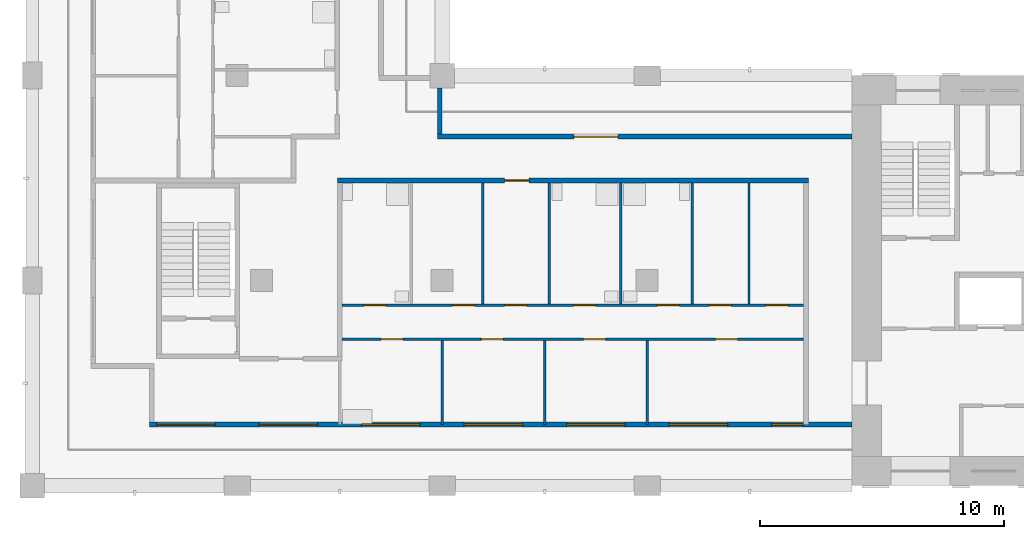
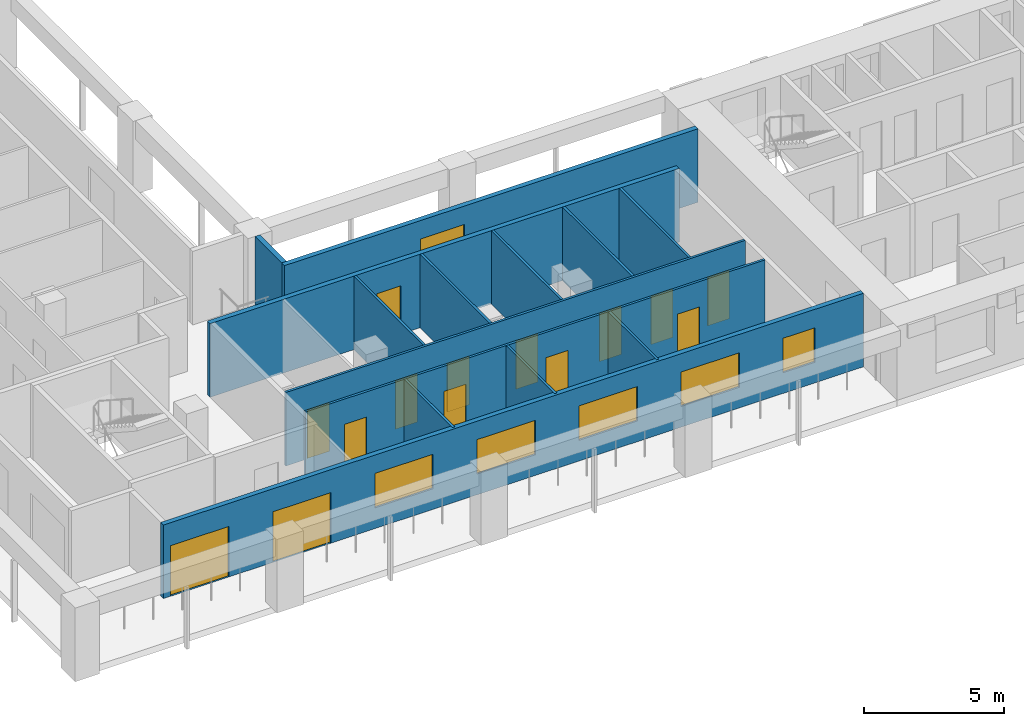
# One storey, part 2 of 10: 15 doors, 14 walls, 5 windows, 20 openings.
"""IFC4 building model written with IfcOpenShell, lengths in metres."""

from ifc_helpers import new_model, si_unit, direction, frame, frame_2d, origin, place, context, subcontext, project, spatial, rectangle, extrude, material, layer, layer_set, type_object, element, fill, save


model = new_model("IFC4")

# Units and contexts
model_context = context("Model", 3, precision=1e-05, world=origin(), true_north=direction((0.0, 1.0)))
body_context = subcontext(model_context, "Body", "Model", "MODEL_VIEW")
ifc_project = project(units=[si_unit("LENGTHUNIT", "METRE"), si_unit("AREAUNIT", "SQUARE_METRE"), si_unit("VOLUMEUNIT", "CUBIC_METRE"), si_unit("PLANEANGLEUNIT", "RADIAN"), si_unit("MASSUNIT", "GRAM", prefix="KILO")], contexts=[model_context])

# Site, building, storey
site_placement = place(None, origin())
site = spatial("IfcSite", under=ifc_project, at=site_placement, CompositionType="ELEMENT")
building_placement = place(site_placement, origin())
building = spatial("IfcBuilding", under=site, at=building_placement, Name="Vermilion Gate Residences", CompositionType="ELEMENT")
storey_placement = place(building_placement, frame((0.0, 0.0, 273.699951171875)))
storey = spatial("IfcBuildingStorey", under=building, at=storey_placement, Name="L72", CompositionType="ELEMENT", Elevation=273.699951171875)

# Wall, openings, doors, windows
ifc_material_1 = material(Name="Insulated steel stud wall with terracotta rainscreen", Category="masonry")
ifc_layer_1 = layer(ifc_material_1, 0.199951171875)
ifc_layer_set_1 = layer_set([ifc_layer_1], Name="EXTERNAL WALL 200 TERRACOTTA RAINSCREEN")
wall_type_1 = type_object("IfcWallType", Name="EXTERNAL WALL 200 TERRACOTTA RAINSCREEN", PredefinedType="SOLIDWALL", material=ifc_layer_set_1)
wall_1_placement = place(storey_placement, frame((13.199951171875, 10.89990234375, 0.0), z_axis=(0.0, 0.0, 1.0), x_axis=(1.0, 0.0, 0.0)))
wall_1 = element("IfcWall", 1, at=wall_1_placement, inside=storey, type_object=wall_type_1, Name="External wall", PredefinedType="SOLIDWALL", context=body_context, shape_type="SweptSolid", body=[
    extrude(rectangle(XDim=28.800048828125, YDim=0.199951171875, at=frame_2d((14.39990234375, 0.0))), origin(), (0.0, 0.0, 1.0), 3.199951171875),
])
opening_1_placement = place(wall_1_placement, frame((0.300048828125, 0.0, 0.0)))
opening_1 = element("IfcOpeningElement", 2, at=opening_1_placement, cuts=wall_1, Name="Opening DE72008", PredefinedType="OPENING", context=body_context, shape_type="SweptSolid", body=[
    extrude(rectangle(XDim=2.39990234375, YDim=2.199951171875, at=frame_2d((1.199951171875, 1.10009765625))), frame((0.0, 0.10986328125, 0.0), z_axis=(0.0, -1.0, 0.0), x_axis=(1.0, 0.0, 0.0)), (0.0, 0.0, 1.0), 0.219970703125),
])
opening_2_placement = place(wall_1_placement, frame((4.5, 0.0, 0.0)))
opening_2 = element("IfcOpeningElement", 3, at=opening_2_placement, cuts=wall_1, Name="Opening DE72009", PredefinedType="OPENING", context=body_context, shape_type="SweptSolid", body=[
    extrude(rectangle(XDim=2.39990234375, YDim=2.199951171875, at=frame_2d((1.199951171875, 1.10009765625))), frame((0.0, 0.10986328125, 0.0), z_axis=(0.0, -1.0, 0.0), x_axis=(1.0, 0.0, 0.0)), (0.0, 0.0, 1.0), 0.219970703125),
])
opening_3_placement = place(wall_1_placement, frame((8.699951171875, 0.0, 0.89990234375)))
opening_3 = element("IfcOpeningElement", 4, at=opening_3_placement, cuts=wall_1, Name="Opening WE72010", PredefinedType="OPENING", context=body_context, shape_type="SweptSolid", body=[
    extrude(rectangle(XDim=2.39990234375, YDim=1.5, at=frame_2d((1.199951171875, 0.75))), frame((0.0, 0.10986328125, 0.0), z_axis=(0.0, -1.0, 0.0), x_axis=(1.0, 0.0, 0.0)), (0.0, 0.0, 1.0), 0.219970703125),
])
opening_4_placement = place(wall_1_placement, frame((12.89990234375, 0.0, 0.89990234375)))
opening_4 = element("IfcOpeningElement", 5, at=opening_4_placement, cuts=wall_1, Name="Opening WE72011", PredefinedType="OPENING", context=body_context, shape_type="SweptSolid", body=[
    extrude(rectangle(XDim=2.39990234375, YDim=1.5, at=frame_2d((1.199951171875, 0.75))), frame((0.0, 0.10986328125, 0.0), z_axis=(0.0, -1.0, 0.0), x_axis=(1.0, 0.0, 0.0)), (0.0, 0.0, 1.0), 0.219970703125),
])
opening_5_placement = place(wall_1_placement, frame((17.10009765625, 0.0, 0.89990234375)))
opening_5 = element("IfcOpeningElement", 6, at=opening_5_placement, cuts=wall_1, Name="Opening WE72012", PredefinedType="OPENING", context=body_context, shape_type="SweptSolid", body=[
    extrude(rectangle(XDim=2.39990234375, YDim=1.5, at=frame_2d((1.199951171875, 0.75))), frame((0.0, 0.10986328125, 0.0), z_axis=(0.0, -1.0, 0.0), x_axis=(1.0, 0.0, 0.0)), (0.0, 0.0, 1.0), 0.219970703125),
])
opening_6_placement = place(wall_1_placement, frame((21.300048828125, 0.0, 0.89990234375)))
opening_6 = element("IfcOpeningElement", 7, at=opening_6_placement, cuts=wall_1, Name="Opening WE72013", PredefinedType="OPENING", context=body_context, shape_type="SweptSolid", body=[
    extrude(rectangle(XDim=2.39990234375, YDim=1.5, at=frame_2d((1.199951171875, 0.75))), frame((0.0, 0.10986328125, 0.0), z_axis=(0.0, -1.0, 0.0), x_axis=(1.0, 0.0, 0.0)), (0.0, 0.0, 1.0), 0.219970703125),
])
opening_7_placement = place(wall_1_placement, frame((25.5, 0.0, 0.89990234375)))
opening_7 = element("IfcOpeningElement", 8, at=opening_7_placement, cuts=wall_1, Name="Opening WE72014", PredefinedType="OPENING", context=body_context, shape_type="SweptSolid", body=[
    extrude(rectangle(XDim=1.300048828125, YDim=1.5, at=frame_2d((0.64990234375, 0.75))), frame((0.0, 0.10986328125, 0.0), z_axis=(0.0, -1.0, 0.0), x_axis=(1.0, 0.0, 0.0)), (0.0, 0.0, 1.0), 0.219970703125),
])
ifc_material_2 = material(Name="Aluminium and clear glass", Category="aluminium")
door_type_1 = type_object("IfcDoorType", Name="SLIDING GLAZED DOOR 2400 X 2200", OperationType="DOUBLE_DOOR_SLIDING", PredefinedType="DOOR", material=ifc_material_2)
door_1_placement = place(opening_1_placement, origin())
door_1 = element("IfcDoor", 9, at=door_1_placement, inside=storey, type_object=door_type_1, Name="Loggia sliding door", OperationType="DOUBLE_DOOR_SLIDING", OverallHeight=2.199951171875, OverallWidth=2.39990234375, PredefinedType="DOOR", context=body_context, shape_type="SweptSolid", body=[
    extrude(rectangle(XDim=2.39990234375, YDim=2.199951171875, at=frame_2d((1.199951171875, 1.10009765625))), frame((0.0, 0.02490234375, 0.0), z_axis=(0.0, -1.0, 0.0), x_axis=(1.0, 0.0, 0.0)), (0.0, 0.0, 1.0), 0.050048828125),
])
fill(opening_1, door_1)
door_2_placement = place(opening_2_placement, origin())
door_2 = element("IfcDoor", 10, at=door_2_placement, inside=storey, type_object=door_type_1, Name="Loggia sliding door", OperationType="DOUBLE_DOOR_SLIDING", OverallHeight=2.199951171875, OverallWidth=2.39990234375, PredefinedType="DOOR", context=body_context, shape_type="SweptSolid", body=[
    extrude(rectangle(XDim=2.39990234375, YDim=2.199951171875, at=frame_2d((1.199951171875, 1.10009765625))), frame((0.0, 0.02490234375, 0.0), z_axis=(0.0, -1.0, 0.0), x_axis=(1.0, 0.0, 0.0)), (0.0, 0.0, 1.0), 0.050048828125),
])
fill(opening_2, door_2)
ifc_material_3 = material(Name="Aluminium and clear glass", Category="aluminium")
window_type_1 = type_object("IfcWindowType", Name="WINDOW 1300 X 1500", PartitioningType="SINGLE_PANEL", PredefinedType="WINDOW", material=ifc_material_3)
window_1_placement = place(opening_7_placement, origin())
window_1 = element("IfcWindow", 11, at=window_1_placement, inside=storey, type_object=window_type_1, Name="Window", OverallHeight=1.5, OverallWidth=1.300048828125, PartitioningType="SINGLE_PANEL", PredefinedType="WINDOW", context=body_context, shape_type="SweptSolid", body=[
    extrude(rectangle(XDim=1.300048828125, YDim=1.5, at=frame_2d((0.64990234375, 0.75))), frame((0.0, 0.030029296875, 0.0), z_axis=(0.0, -1.0, 0.0), x_axis=(1.0, 0.0, 0.0)), (0.0, 0.0, 1.0), 0.06005859375),
])
fill(opening_7, window_1)
ifc_material_4 = material(Name="Aluminium and clear glass", Category="aluminium")
window_type_2 = type_object("IfcWindowType", Name="WINDOW 2400 X 1500", PartitioningType="SINGLE_PANEL", PredefinedType="WINDOW", material=ifc_material_4)
window_2_placement = place(opening_3_placement, origin())
window_2 = element("IfcWindow", 12, at=window_2_placement, inside=storey, type_object=window_type_2, Name="Window", OverallHeight=1.5, OverallWidth=2.39990234375, PartitioningType="SINGLE_PANEL", PredefinedType="WINDOW", context=body_context, shape_type="SweptSolid", body=[
    extrude(rectangle(XDim=2.39990234375, YDim=1.5, at=frame_2d((1.199951171875, 0.75))), frame((0.0, 0.030029296875, 0.0), z_axis=(0.0, -1.0, 0.0), x_axis=(1.0, 0.0, 0.0)), (0.0, 0.0, 1.0), 0.06005859375),
])
fill(opening_3, window_2)
window_3_placement = place(opening_4_placement, origin())
window_3 = element("IfcWindow", 13, at=window_3_placement, inside=storey, type_object=window_type_2, Name="Window", OverallHeight=1.5, OverallWidth=2.39990234375, PartitioningType="SINGLE_PANEL", PredefinedType="WINDOW", context=body_context, shape_type="SweptSolid", body=[
    extrude(rectangle(XDim=2.39990234375, YDim=1.5, at=frame_2d((1.199951171875, 0.75))), frame((0.0, 0.030029296875, 0.0), z_axis=(0.0, -1.0, 0.0), x_axis=(1.0, 0.0, 0.0)), (0.0, 0.0, 1.0), 0.06005859375),
])
fill(opening_4, window_3)
window_4_placement = place(opening_5_placement, origin())
window_4 = element("IfcWindow", 14, at=window_4_placement, inside=storey, type_object=window_type_2, Name="Window", OverallHeight=1.5, OverallWidth=2.39990234375, PartitioningType="SINGLE_PANEL", PredefinedType="WINDOW", context=body_context, shape_type="SweptSolid", body=[
    extrude(rectangle(XDim=2.39990234375, YDim=1.5, at=frame_2d((1.199951171875, 0.75))), frame((0.0, 0.030029296875, 0.0), z_axis=(0.0, -1.0, 0.0), x_axis=(1.0, 0.0, 0.0)), (0.0, 0.0, 1.0), 0.06005859375),
])
fill(opening_5, window_4)
window_5_placement = place(opening_6_placement, origin())
window_5 = element("IfcWindow", 15, at=window_5_placement, inside=storey, type_object=window_type_2, Name="Window", OverallHeight=1.5, OverallWidth=2.39990234375, PartitioningType="SINGLE_PANEL", PredefinedType="WINDOW", context=body_context, shape_type="SweptSolid", body=[
    extrude(rectangle(XDim=2.39990234375, YDim=1.5, at=frame_2d((1.199951171875, 0.75))), frame((0.0, 0.030029296875, 0.0), z_axis=(0.0, -1.0, 0.0), x_axis=(1.0, 0.0, 0.0)), (0.0, 0.0, 1.0), 0.06005859375),
])
fill(opening_6, window_5)

# Wall, opening, door
wall_2_placement = place(storey_placement, frame((42.0, 22.699951171875, 0.0), z_axis=(0.0, 0.0, 1.0), x_axis=(-1.0, 0.0, 0.0)))
wall_2 = element("IfcWall", 16, at=wall_2_placement, inside=storey, type_object=wall_type_1, Name="External wall", PredefinedType="SOLIDWALL", context=body_context, shape_type="SweptSolid", body=[
    extrude(rectangle(XDim=17.0, YDim=0.199951171875, at=frame_2d((8.5, 0.0))), origin(), (0.0, 0.0, 1.0), 3.199951171875),
])
opening_8_placement = place(wall_2_placement, frame((9.60009765625, 0.0, 0.0)))
opening_8 = element("IfcOpeningElement", 17, at=opening_8_placement, cuts=wall_2, Name="Opening DE72015", PredefinedType="OPENING", context=body_context, shape_type="SweptSolid", body=[
    extrude(rectangle(XDim=1.800048828125, YDim=2.39990234375, at=frame_2d((0.89990234375, 1.199951171875))), frame((0.0, 0.10986328125, 0.0), z_axis=(0.0, -1.0, 0.0), x_axis=(1.0, 0.0, 0.0)), (0.0, 0.0, 1.0), 0.219970703125),
])
ifc_material_5 = material(Name="Aluminium and clear glass", Category="aluminium")
door_type_2 = type_object("IfcDoorType", Name="GLAZED EXTERNAL DOOR 1800 X 2400", OperationType="DOUBLE_DOOR_SINGLE_SWING", PredefinedType="DOOR", material=ifc_material_5)
door_3_placement = place(opening_8_placement, frame((1.800048828125, 0.0, 0.0), z_axis=(0.0, 0.0, 1.0), x_axis=(-1.0, 0.0, 0.0)))
door_3 = element("IfcDoor", 18, at=door_3_placement, inside=storey, type_object=door_type_2, Name="Gallery door", OperationType="DOUBLE_DOOR_SINGLE_SWING", OverallHeight=2.39990234375, OverallWidth=1.800048828125, PredefinedType="DOOR", context=body_context, shape_type="SweptSolid", body=[
    extrude(rectangle(XDim=1.800048828125, YDim=2.39990234375, at=frame_2d((0.89990234375, 1.199951171875))), frame((0.0, 0.02490234375, 0.0), z_axis=(0.0, -1.0, 0.0), x_axis=(1.0, 0.0, 0.0)), (0.0, 0.0, 1.0), 0.050048828125),
])
fill(opening_8, door_3)

# Wall
wall_3_placement = place(storey_placement, frame((25.10009765625, 22.800048828125, 0.0), z_axis=(0.0, 0.0, 1.0), x_axis=(0.0, 1.0, 0.0)))
element("IfcWall", 19, at=wall_3_placement, inside=storey, type_object=wall_type_1, Name="External wall", PredefinedType="SOLIDWALL", context=body_context, shape_type="SweptSolid", body=[
    extrude(rectangle(XDim=1.89990234375, YDim=0.199951171875, at=frame_2d((0.949951171875, 0.0))), origin(), (0.0, 0.0, 1.0), 3.199951171875),
])

# Wall, openings, doors
ifc_material_6 = material(Name="Plasterboard on steel studs", Category="steel")
ifc_layer_2 = layer(ifc_material_6, 0.10009765625)
ifc_layer_set_2 = layer_set([ifc_layer_2], Name="PARTITION 100")
wall_type_2 = type_object("IfcWallType", Name="PARTITION 100", PredefinedType="PARTITIONING", material=ifc_layer_set_2)
wall_4_placement = place(storey_placement, frame((21.10009765625, 14.39990234375, 0.0), z_axis=(0.0, 0.0, 1.0), x_axis=(1.0, 0.0, 0.0)))
wall_4 = element("IfcWall", 20, at=wall_4_placement, inside=storey, type_object=wall_type_2, Name="Partition", PredefinedType="PARTITIONING", context=body_context, shape_type="SweptSolid", body=[
    extrude(rectangle(XDim=18.89990234375, YDim=0.10009765625, at=frame_2d((9.449951171875, 0.0))), origin(), (0.0, 0.0, 1.0), 3.199951171875),
])
opening_9_placement = place(wall_4_placement, frame((1.60009765625, 0.0, 0.0)))
opening_9 = element("IfcOpeningElement", 21, at=opening_9_placement, cuts=wall_4, Name="Opening DA70002", PredefinedType="OPENING", context=body_context, shape_type="SweptSolid", body=[
    extrude(rectangle(XDim=0.89990234375, YDim=2.10009765625, at=frame_2d((0.449951171875, 1.050048828125))), frame((0.0, 0.06005859375, 0.0), z_axis=(0.0, -1.0, 0.0), x_axis=(1.0, 0.0, 0.0)), (0.0, 0.0, 1.0), 0.1201171875),
])
opening_10_placement = place(wall_4_placement, frame((5.699951171875, 0.0, 0.0)))
opening_10 = element("IfcOpeningElement", 22, at=opening_10_placement, cuts=wall_4, Name="Opening DA70003", PredefinedType="OPENING", context=body_context, shape_type="SweptSolid", body=[
    extrude(rectangle(XDim=0.89990234375, YDim=2.10009765625, at=frame_2d((0.449951171875, 1.050048828125))), frame((0.0, 0.06005859375, 0.0), z_axis=(0.0, -1.0, 0.0), x_axis=(1.0, 0.0, 0.0)), (0.0, 0.0, 1.0), 0.1201171875),
])
opening_11_placement = place(wall_4_placement, frame((9.89990234375, 0.0, 0.0)))
opening_11 = element("IfcOpeningElement", 23, at=opening_11_placement, cuts=wall_4, Name="Opening DA70004", PredefinedType="OPENING", context=body_context, shape_type="SweptSolid", body=[
    extrude(rectangle(XDim=0.89990234375, YDim=2.10009765625, at=frame_2d((0.449951171875, 1.050048828125))), frame((0.0, 0.06005859375, 0.0), z_axis=(0.0, -1.0, 0.0), x_axis=(1.0, 0.0, 0.0)), (0.0, 0.0, 1.0), 0.1201171875),
])
opening_12_placement = place(wall_4_placement, frame((15.300048828125, 0.0, 0.0)))
opening_12 = element("IfcOpeningElement", 24, at=opening_12_placement, cuts=wall_4, Name="Opening DA70005", PredefinedType="OPENING", context=body_context, shape_type="SweptSolid", body=[
    extrude(rectangle(XDim=0.89990234375, YDim=2.10009765625, at=frame_2d((0.449951171875, 1.050048828125))), frame((0.0, 0.06005859375, 0.0), z_axis=(0.0, -1.0, 0.0), x_axis=(1.0, 0.0, 0.0)), (0.0, 0.0, 1.0), 0.1201171875),
])
ifc_material_7 = material(Name="Timber", Category="wood")
door_type_3 = type_object("IfcDoorType", Name="INTERIOR DOOR 900 X 2100", OperationType="SINGLE_SWING_LEFT", PredefinedType="DOOR", material=ifc_material_7)
door_4_placement = place(opening_9_placement, frame((0.89990234375, 0.0, 0.0), z_axis=(0.0, 0.0, 1.0), x_axis=(-1.0, 0.0, 0.0)))
door_4 = element("IfcDoor", 25, at=door_4_placement, inside=storey, type_object=door_type_3, Name="Interior door", OperationType="SINGLE_SWING_LEFT", OverallHeight=2.10009765625, OverallWidth=0.89990234375, PredefinedType="DOOR", context=body_context, shape_type="SweptSolid", body=[
    extrude(rectangle(XDim=0.89990234375, YDim=2.10009765625, at=frame_2d((0.449951171875, 1.050048828125))), frame((0.0, 0.02490234375, 0.0), z_axis=(0.0, -1.0, 0.0), x_axis=(1.0, 0.0, 0.0)), (0.0, 0.0, 1.0), 0.050048828125),
])
fill(opening_9, door_4)
door_5_placement = place(opening_10_placement, frame((0.89990234375, 0.0, 0.0), z_axis=(0.0, 0.0, 1.0), x_axis=(-1.0, 0.0, 0.0)))
door_5 = element("IfcDoor", 26, at=door_5_placement, inside=storey, type_object=door_type_3, Name="Interior door", OperationType="SINGLE_SWING_RIGHT", OverallHeight=2.10009765625, OverallWidth=0.89990234375, PredefinedType="DOOR", context=body_context, shape_type="SweptSolid", body=[
    extrude(rectangle(XDim=0.89990234375, YDim=2.10009765625, at=frame_2d((0.449951171875, 1.050048828125))), frame((0.0, 0.02490234375, 0.0), z_axis=(0.0, -1.0, 0.0), x_axis=(1.0, 0.0, 0.0)), (0.0, 0.0, 1.0), 0.050048828125),
])
fill(opening_10, door_5)
door_6_placement = place(opening_11_placement, frame((0.89990234375, 0.0, 0.0), z_axis=(0.0, 0.0, 1.0), x_axis=(-1.0, 0.0, 0.0)))
door_6 = element("IfcDoor", 27, at=door_6_placement, inside=storey, type_object=door_type_3, Name="Interior door", OperationType="SINGLE_SWING_RIGHT", OverallHeight=2.10009765625, OverallWidth=0.89990234375, PredefinedType="DOOR", context=body_context, shape_type="SweptSolid", body=[
    extrude(rectangle(XDim=0.89990234375, YDim=2.10009765625, at=frame_2d((0.449951171875, 1.050048828125))), frame((0.0, 0.02490234375, 0.0), z_axis=(0.0, -1.0, 0.0), x_axis=(1.0, 0.0, 0.0)), (0.0, 0.0, 1.0), 0.050048828125),
])
fill(opening_11, door_6)
door_7_placement = place(opening_12_placement, frame((0.89990234375, 0.0, 0.0), z_axis=(0.0, 0.0, 1.0), x_axis=(-1.0, 0.0, 0.0)))
door_7 = element("IfcDoor", 28, at=door_7_placement, inside=storey, type_object=door_type_3, Name="Interior door", OperationType="SINGLE_SWING_LEFT", OverallHeight=2.10009765625, OverallWidth=0.89990234375, PredefinedType="DOOR", context=body_context, shape_type="SweptSolid", body=[
    extrude(rectangle(XDim=0.89990234375, YDim=2.10009765625, at=frame_2d((0.449951171875, 1.050048828125))), frame((0.0, 0.02490234375, 0.0), z_axis=(0.0, -1.0, 0.0), x_axis=(1.0, 0.0, 0.0)), (0.0, 0.0, 1.0), 0.050048828125),
])
fill(opening_12, door_7)

wall_5_placement = place(storey_placement, frame((21.10009765625, 15.800048828125, 0.0), z_axis=(0.0, 0.0, 1.0), x_axis=(1.0, 0.0, 0.0)))
wall_5 = element("IfcWall", 29, at=wall_5_placement, inside=storey, type_object=wall_type_2, Name="Partition", PredefinedType="PARTITIONING", context=body_context, shape_type="SweptSolid", body=[
    extrude(rectangle(XDim=18.89990234375, YDim=0.10009765625, at=frame_2d((9.449951171875, 0.0))), origin(), (0.0, 0.0, 1.0), 3.199951171875),
])
opening_13_placement = place(wall_5_placement, frame((6.656982421875, 0.0, 0.0)))
opening_13 = element("IfcOpeningElement", 30, at=opening_13_placement, cuts=wall_5, Name="Opening DA70006", PredefinedType="OPENING", context=body_context, shape_type="SweptSolid", body=[
    extrude(rectangle(XDim=0.89990234375, YDim=2.10009765625, at=frame_2d((0.449951171875, 1.050048828125))), frame((0.0, 0.06005859375, 0.0), z_axis=(0.0, -1.0, 0.0), x_axis=(1.0, 0.0, 0.0)), (0.0, 0.0, 1.0), 0.1201171875),
])
opening_14_placement = place(wall_5_placement, frame((0.89990234375, 0.0, 0.0)))
opening_14 = element("IfcOpeningElement", 31, at=opening_14_placement, cuts=wall_5, Name="Opening DA70007", PredefinedType="OPENING", context=body_context, shape_type="SweptSolid", body=[
    extrude(rectangle(XDim=0.89990234375, YDim=2.10009765625, at=frame_2d((0.449951171875, 1.050048828125))), frame((0.0, 0.06005859375, 0.0), z_axis=(0.0, -1.0, 0.0), x_axis=(1.0, 0.0, 0.0)), (0.0, 0.0, 1.0), 0.1201171875),
])
opening_15_placement = place(wall_5_placement, frame((4.529052734375, 0.0, 0.0)))
opening_15 = element("IfcOpeningElement", 32, at=opening_15_placement, cuts=wall_5, Name="Opening DA70008", PredefinedType="OPENING", context=body_context, shape_type="SweptSolid", body=[
    extrude(rectangle(XDim=0.89990234375, YDim=2.10009765625, at=frame_2d((0.449951171875, 1.050048828125))), frame((0.0, 0.06005859375, 0.0), z_axis=(0.0, -1.0, 0.0), x_axis=(1.0, 0.0, 0.0)), (0.0, 0.0, 1.0), 0.1201171875),
])
opening_16_placement = place(wall_5_placement, frame((9.486083984375, 0.0, 0.0)))
opening_16 = element("IfcOpeningElement", 33, at=opening_16_placement, cuts=wall_5, Name="Opening DA70009", PredefinedType="OPENING", context=body_context, shape_type="SweptSolid", body=[
    extrude(rectangle(XDim=0.89990234375, YDim=2.10009765625, at=frame_2d((0.449951171875, 1.050048828125))), frame((0.0, 0.06005859375, 0.0), z_axis=(0.0, -1.0, 0.0), x_axis=(1.0, 0.0, 0.0)), (0.0, 0.0, 1.0), 0.1201171875),
])
opening_17_placement = place(wall_5_placement, frame((12.9140625, 0.0, 0.0)))
opening_17 = element("IfcOpeningElement", 34, at=opening_17_placement, cuts=wall_5, Name="Opening DA70010", PredefinedType="OPENING", context=body_context, shape_type="SweptSolid", body=[
    extrude(rectangle(XDim=0.89990234375, YDim=2.10009765625, at=frame_2d((0.449951171875, 1.050048828125))), frame((0.0, 0.06005859375, 0.0), z_axis=(0.0, -1.0, 0.0), x_axis=(1.0, 0.0, 0.0)), (0.0, 0.0, 1.0), 0.1201171875),
])
opening_18_placement = place(wall_5_placement, frame((15.04296875, 0.0, 0.0)))
opening_18 = element("IfcOpeningElement", 35, at=opening_18_placement, cuts=wall_5, Name="Opening DA70011", PredefinedType="OPENING", context=body_context, shape_type="SweptSolid", body=[
    extrude(rectangle(XDim=0.89990234375, YDim=2.10009765625, at=frame_2d((0.449951171875, 1.050048828125))), frame((0.0, 0.06005859375, 0.0), z_axis=(0.0, -1.0, 0.0), x_axis=(1.0, 0.0, 0.0)), (0.0, 0.0, 1.0), 0.1201171875),
])
opening_19_placement = place(wall_5_placement, frame((17.3720703125, 0.0, 0.0)))
opening_19 = element("IfcOpeningElement", 36, at=opening_19_placement, cuts=wall_5, Name="Opening DA70012", PredefinedType="OPENING", context=body_context, shape_type="SweptSolid", body=[
    extrude(rectangle(XDim=0.89990234375, YDim=2.10009765625, at=frame_2d((0.449951171875, 1.050048828125))), frame((0.0, 0.06005859375, 0.0), z_axis=(0.0, -1.0, 0.0), x_axis=(1.0, 0.0, 0.0)), (0.0, 0.0, 1.0), 0.1201171875),
])
door_8_placement = place(opening_13_placement, origin())
door_8 = element("IfcDoor", 37, at=door_8_placement, inside=storey, type_object=door_type_3, Name="Interior door", OperationType="SINGLE_SWING_LEFT", OverallHeight=2.10009765625, OverallWidth=0.89990234375, PredefinedType="DOOR", context=body_context, shape_type="SweptSolid", body=[
    extrude(rectangle(XDim=0.89990234375, YDim=2.10009765625, at=frame_2d((0.449951171875, 1.050048828125))), frame((0.0, 0.02490234375, 0.0), z_axis=(0.0, -1.0, 0.0), x_axis=(1.0, 0.0, 0.0)), (0.0, 0.0, 1.0), 0.050048828125),
])
fill(opening_13, door_8)
door_9_placement = place(opening_14_placement, origin())
door_9 = element("IfcDoor", 38, at=door_9_placement, inside=storey, type_object=door_type_3, Name="Interior door", OperationType="SINGLE_SWING_RIGHT", OverallHeight=2.10009765625, OverallWidth=0.89990234375, PredefinedType="DOOR", context=body_context, shape_type="SweptSolid", body=[
    extrude(rectangle(XDim=0.89990234375, YDim=2.10009765625, at=frame_2d((0.449951171875, 1.050048828125))), frame((0.0, 0.02490234375, 0.0), z_axis=(0.0, -1.0, 0.0), x_axis=(1.0, 0.0, 0.0)), (0.0, 0.0, 1.0), 0.050048828125),
])
fill(opening_14, door_9)
door_10_placement = place(opening_15_placement, origin())
door_10 = element("IfcDoor", 39, at=door_10_placement, inside=storey, type_object=door_type_3, Name="Interior door", OperationType="SINGLE_SWING_RIGHT", OverallHeight=2.10009765625, OverallWidth=0.89990234375, PredefinedType="DOOR", context=body_context, shape_type="SweptSolid", body=[
    extrude(rectangle(XDim=0.89990234375, YDim=2.10009765625, at=frame_2d((0.449951171875, 1.050048828125))), frame((0.0, 0.02490234375, 0.0), z_axis=(0.0, -1.0, 0.0), x_axis=(1.0, 0.0, 0.0)), (0.0, 0.0, 1.0), 0.050048828125),
])
fill(opening_15, door_10)
door_11_placement = place(opening_16_placement, origin())
door_11 = element("IfcDoor", 40, at=door_11_placement, inside=storey, type_object=door_type_3, Name="Interior door", OperationType="SINGLE_SWING_RIGHT", OverallHeight=2.10009765625, OverallWidth=0.89990234375, PredefinedType="DOOR", context=body_context, shape_type="SweptSolid", body=[
    extrude(rectangle(XDim=0.89990234375, YDim=2.10009765625, at=frame_2d((0.449951171875, 1.050048828125))), frame((0.0, 0.02490234375, 0.0), z_axis=(0.0, -1.0, 0.0), x_axis=(1.0, 0.0, 0.0)), (0.0, 0.0, 1.0), 0.050048828125),
])
fill(opening_16, door_11)
door_12_placement = place(opening_17_placement, origin())
door_12 = element("IfcDoor", 41, at=door_12_placement, inside=storey, type_object=door_type_3, Name="Interior door", OperationType="SINGLE_SWING_RIGHT", OverallHeight=2.10009765625, OverallWidth=0.89990234375, PredefinedType="DOOR", context=body_context, shape_type="SweptSolid", body=[
    extrude(rectangle(XDim=0.89990234375, YDim=2.10009765625, at=frame_2d((0.449951171875, 1.050048828125))), frame((0.0, 0.02490234375, 0.0), z_axis=(0.0, -1.0, 0.0), x_axis=(1.0, 0.0, 0.0)), (0.0, 0.0, 1.0), 0.050048828125),
])
fill(opening_17, door_12)
door_13_placement = place(opening_18_placement, origin())
door_13 = element("IfcDoor", 42, at=door_13_placement, inside=storey, type_object=door_type_3, Name="Interior door", OperationType="SINGLE_SWING_LEFT", OverallHeight=2.10009765625, OverallWidth=0.89990234375, PredefinedType="DOOR", context=body_context, shape_type="SweptSolid", body=[
    extrude(rectangle(XDim=0.89990234375, YDim=2.10009765625, at=frame_2d((0.449951171875, 1.050048828125))), frame((0.0, 0.02490234375, 0.0), z_axis=(0.0, -1.0, 0.0), x_axis=(1.0, 0.0, 0.0)), (0.0, 0.0, 1.0), 0.050048828125),
])
fill(opening_18, door_13)
door_14_placement = place(opening_19_placement, origin())
door_14 = element("IfcDoor", 43, at=door_14_placement, inside=storey, type_object=door_type_3, Name="Interior door", OperationType="SINGLE_SWING_RIGHT", OverallHeight=2.10009765625, OverallWidth=0.89990234375, PredefinedType="DOOR", context=body_context, shape_type="SweptSolid", body=[
    extrude(rectangle(XDim=0.89990234375, YDim=2.10009765625, at=frame_2d((0.449951171875, 1.050048828125))), frame((0.0, 0.02490234375, 0.0), z_axis=(0.0, -1.0, 0.0), x_axis=(1.0, 0.0, 0.0)), (0.0, 0.0, 1.0), 0.050048828125),
])
fill(opening_19, door_14)

# Walls
wall_6_placement = place(storey_placement, frame((25.199951171875, 10.89990234375, 0.0), z_axis=(0.0, 0.0, 1.0), x_axis=(0.0, 1.0, 0.0)))
element("IfcWall", 44, at=wall_6_placement, inside=storey, type_object=wall_type_2, Name="Partition", PredefinedType="PARTITIONING", context=body_context, shape_type="SweptSolid", body=[
    extrude(rectangle(XDim=3.4501953125, YDim=0.10009765625, at=frame_2d((1.72509765625, 0.0))), origin(), (0.0, 0.0, 1.0), 3.199951171875),
])
wall_7_placement = place(storey_placement, frame((26.85693359375, 15.85009765625, 0.0), z_axis=(0.0, 0.0, 1.0), x_axis=(0.0, 1.0, 0.0)))
element("IfcWall", 45, at=wall_7_placement, inside=storey, type_object=wall_type_2, Name="Partition", PredefinedType="PARTITIONING", context=body_context, shape_type="SweptSolid", body=[
    extrude(rectangle(XDim=4.949951171875, YDim=0.10009765625, at=frame_2d((2.47509765625, 0.0))), origin(), (0.0, 0.0, 1.0), 3.199951171875),
])
wall_8_placement = place(storey_placement, frame((29.39990234375, 10.89990234375, 0.0), z_axis=(0.0, 0.0, 1.0), x_axis=(0.0, 1.0, 0.0)))
element("IfcWall", 46, at=wall_8_placement, inside=storey, type_object=wall_type_2, Name="Partition", PredefinedType="PARTITIONING", context=body_context, shape_type="SweptSolid", body=[
    extrude(rectangle(XDim=3.4501953125, YDim=0.10009765625, at=frame_2d((1.72509765625, 0.0))), origin(), (0.0, 0.0, 1.0), 3.199951171875),
])
for number, where, z_axis, x_axis, name in (
    (47, (29.5859375, 15.85009765625, 0.0), (0.0, 0.0, 1.0), (0.0, 1.0, 0.0), "Partition"),
    (48, (32.513916015625, 15.85009765625, 0.0), (0.0, 0.0, 1.0), (0.0, 1.0, 0.0), "Partition"),
):
    element("IfcWall", number, at=place(storey_placement, frame(where, z_axis=z_axis, x_axis=x_axis)), inside=storey, type_object=wall_type_2, Name=name, PredefinedType="PARTITIONING", context=body_context, shape_type="SweptSolid", body=[
        extrude(rectangle(XDim=4.949951171875, YDim=0.10009765625, at=frame_2d((2.47509765625, 0.0))), origin(), (0.0, 0.0, 1.0), 3.199951171875),
    ])
wall_9_placement = place(storey_placement, frame((33.60009765625, 10.89990234375, 0.0), z_axis=(0.0, 0.0, 1.0), x_axis=(0.0, 1.0, 0.0)))
element("IfcWall", 49, at=wall_9_placement, inside=storey, type_object=wall_type_2, Name="Partition", PredefinedType="PARTITIONING", context=body_context, shape_type="SweptSolid", body=[
    extrude(rectangle(XDim=3.4501953125, YDim=0.10009765625, at=frame_2d((1.72509765625, 0.0))), origin(), (0.0, 0.0, 1.0), 3.199951171875),
])
for number, where, z_axis, x_axis, name in (
    (50, (35.443115234375, 15.85009765625, 0.0), (0.0, 0.0, 1.0), (0.0, 1.0, 0.0), "Partition"),
    (51, (37.77197265625, 15.85009765625, 0.0), (0.0, 0.0, 1.0), (0.0, 1.0, 0.0), "Partition"),
):
    element("IfcWall", number, at=place(storey_placement, frame(where, z_axis=z_axis, x_axis=x_axis)), inside=storey, type_object=wall_type_2, Name=name, PredefinedType="PARTITIONING", context=body_context, shape_type="SweptSolid", body=[
        extrude(rectangle(XDim=4.949951171875, YDim=0.10009765625, at=frame_2d((2.47509765625, 0.0))), origin(), (0.0, 0.0, 1.0), 3.199951171875),
    ])

# Wall, opening, door
ifc_material_8 = material(Name="Fire-rated plasterboard on steel studs", Category="steel")
ifc_layer_3 = layer(ifc_material_8, 0.199951171875)
ifc_layer_set_3 = layer_set([ifc_layer_3], Name="PARTY WALL 200 EI 120")
wall_type_3 = type_object("IfcWallType", Name="PARTY WALL 200 EI 120", PredefinedType="PARTITIONING", material=ifc_layer_set_3)
wall_10_placement = place(storey_placement, frame((20.89990234375, 20.89990234375, 0.0), z_axis=(0.0, 0.0, 1.0), x_axis=(1.0, 0.0, 0.0)))
wall_10 = element("IfcWall", 52, at=wall_10_placement, inside=storey, type_object=wall_type_3, Name="Party and corridor wall", PredefinedType="PARTITIONING", context=body_context, shape_type="SweptSolid", body=[
    extrude(rectangle(XDim=19.300048828125, YDim=0.199951171875, at=frame_2d((9.64990234375, 0.0))), origin(), (0.0, 0.0, 1.0), 3.199951171875),
])
opening_20_placement = place(wall_10_placement, frame((6.85693359375, 0.0, 0.0)))
opening_20 = element("IfcOpeningElement", 53, at=opening_20_placement, cuts=wall_10, Name="Opening DA70013", PredefinedType="OPENING", context=body_context, shape_type="SweptSolid", body=[
    extrude(rectangle(XDim=1.0, YDim=2.10009765625, at=frame_2d((0.5, 1.050048828125))), frame((0.0, 0.10986328125, 0.0), z_axis=(0.0, -1.0, 0.0), x_axis=(1.0, 0.0, 0.0)), (0.0, 0.0, 1.0), 0.219970703125),
])
ifc_material_9 = material(Name="Steel", Category="steel")
door_type_4 = type_object("IfcDoorType", Name="ENTRANCE DOOR 1000 X 2100 FD30", OperationType="SINGLE_SWING_LEFT", PredefinedType="DOOR", material=ifc_material_9)
door_15_placement = place(opening_20_placement, frame((1.0, 0.0, 0.0), z_axis=(0.0, 0.0, 1.0), x_axis=(-1.0, 0.0, 0.0)))
door_15 = element("IfcDoor", 54, at=door_15_placement, inside=storey, type_object=door_type_4, Name="Entrance door", OperationType="SINGLE_SWING_LEFT", OverallHeight=2.10009765625, OverallWidth=1.0, PredefinedType="DOOR", context=body_context, shape_type="SweptSolid", body=[
    extrude(rectangle(XDim=1.0, YDim=2.10009765625, at=frame_2d((0.5, 1.050048828125))), frame((0.0, 0.02490234375, 0.0), z_axis=(0.0, -1.0, 0.0), x_axis=(1.0, 0.0, 0.0)), (0.0, 0.0, 1.0), 0.050048828125),
])
fill(opening_20, door_15)

save(model, "model.ifc")
